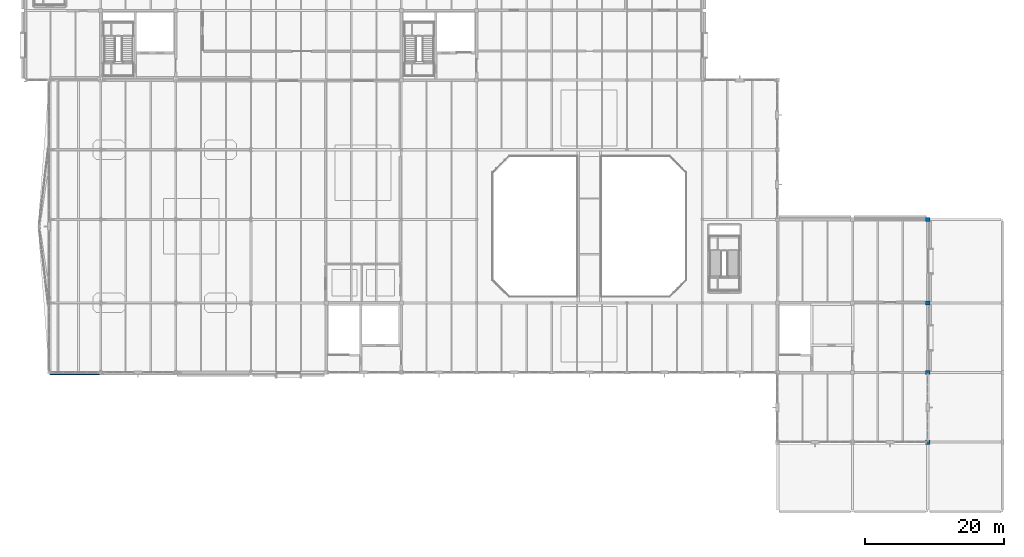
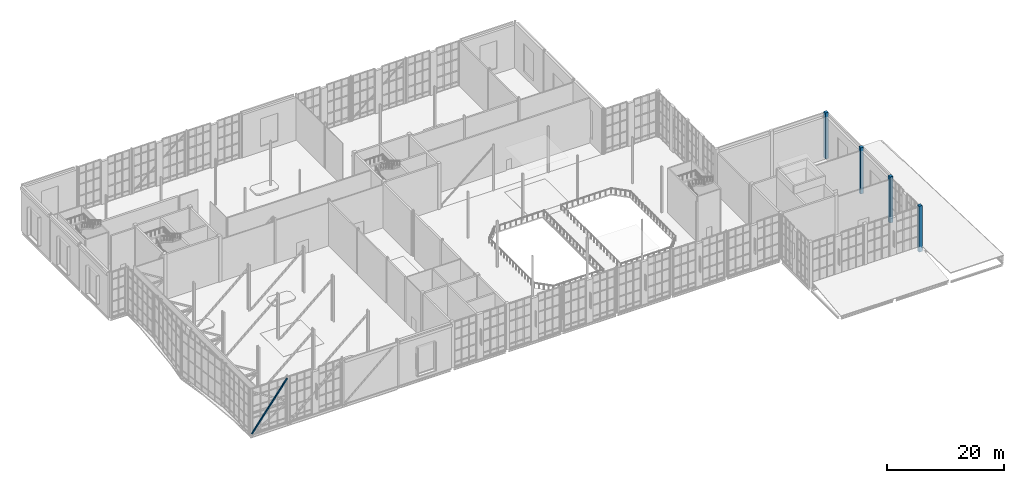
# One storey, part 11 of 100: 4 columns, 1 member.
"""IFC4 building model written with IfcOpenShell, lengths in metres."""

from ifc_helpers import new_model, si_unit, direction, frame, origin, origin_2d, place, context, subcontext, project, spatial, rectangle, hollow_rectangle, extrude, material, material_profile, profile_set, type_object, element, save


model = new_model("IFC4")

# Units and contexts
model_context = context("Model", 3, precision=1e-05, world=origin(), true_north=direction((0.0, 1.0)))
body_context = subcontext(model_context, "Body", "Model", "MODEL_VIEW")
ifc_project = project(units=[si_unit("LENGTHUNIT", "METRE"), si_unit("AREAUNIT", "SQUARE_METRE"), si_unit("VOLUMEUNIT", "CUBIC_METRE"), si_unit("PLANEANGLEUNIT", "RADIAN"), si_unit("MASSUNIT", "GRAM", prefix="KILO")], contexts=[model_context])

# Site, building, storey
site_placement = place(None, origin())
site = spatial("IfcSite", under=ifc_project, at=site_placement, CompositionType="ELEMENT")
building_placement = place(site_placement, origin())
building = spatial("IfcBuilding", under=site, at=building_placement, Name="Tasgan Crest Museum", CompositionType="ELEMENT")
storey_placement = place(building_placement, frame((0.0, 0.0, 14.39990234375)))
storey = spatial("IfcBuildingStorey", under=building, at=storey_placement, Name="L03", CompositionType="ELEMENT", Elevation=14.39990234375)

# Columns
ifc_material_1 = material(Name="Concrete C40/50", Category="concrete")
ifc_material_profile_1 = material_profile(ifc_material_1, rectangle(XDim=0.60009765625, YDim=0.60009765625, at=origin_2d()), Name="RC 600x600")
ifc_profile_set_1 = profile_set([ifc_material_profile_1], Name="Concrete C40/50")
column_type = type_object("IfcColumnType", Name="COL-RC600", PredefinedType="COLUMN", material=ifc_profile_set_1)
for number, where, z_axis, x_axis, name in (
    (1, (129.60009765625, 30.0, 0.0), (0.0, 0.0, 1.0), (1.0, 0.0, 0.0), "Column 13/D L03"),
    (2, (129.60009765625, 40.0, 0.0), (0.0, 0.0, 1.0), (1.0, 0.0, 0.0), "Column 13/E L03"),
    (3, (129.60009765625, 50.0, 0.0), (0.0, 0.0, 1.0), (1.0, 0.0, 0.0), "Column 13/F L03"),
    (4, (129.60009765625, 62.0, 0.0), (0.0, 0.0, 1.0), (1.0, 0.0, 0.0), "Column 13/G L03"),
):
    element("IfcColumn", number, at=place(storey_placement, frame(where, z_axis=z_axis, x_axis=x_axis)), inside=storey, type_object=column_type, Name=name, PredefinedType="COLUMN", context=body_context, shape_type="SweptSolid", body=[
        extrude(rectangle(XDim=0.60009765625, YDim=0.60009765625, at=origin_2d()), origin(), (0.0, 0.0, 1.0), 9.60009765625),
    ])

# Member
ifc_material_2 = material(Name="Steel S355K2", Category="steel")
ifc_material_profile_2 = material_profile(ifc_material_2, hollow_rectangle(XDim=0.260009765625, YDim=0.260009765625, WallThickness=0.01416015625, InnerFilletRadius=0.01416015625, OuterFilletRadius=0.0283203125, at=origin_2d()), Name="SHS 260x260x14.2")
ifc_profile_set_2 = profile_set([ifc_material_profile_2], Name="Steel S355K2")
member_type = type_object("IfcMemberType", Name="TR-CANT-DIAG", PredefinedType="BRACE", material=ifc_profile_set_2)
member_placement = place(storey_placement, frame((3.60009765625, 39.800048828125, 0.050048828125), z_axis=(0.605523867895, 0.0, 0.795827145434), x_axis=(0.0, 1.0, 0.0)))
element("IfcMember", 5, at=member_placement, inside=storey, type_object=member_type, Name="Exposed transfer truss diagonal S3", PredefinedType="BRACE", context=body_context, shape_type="SweptSolid", body=[
    extrude(hollow_rectangle(XDim=0.260009765625, YDim=0.260009765625, WallThickness=0.01416015625, InnerFilletRadius=0.01416015625, OuterFilletRadius=0.0283203125, at=origin_2d()), origin(), (0.0, 0.0, 1.0), 11.560302734375),
])

save(model, "model.ifc")
